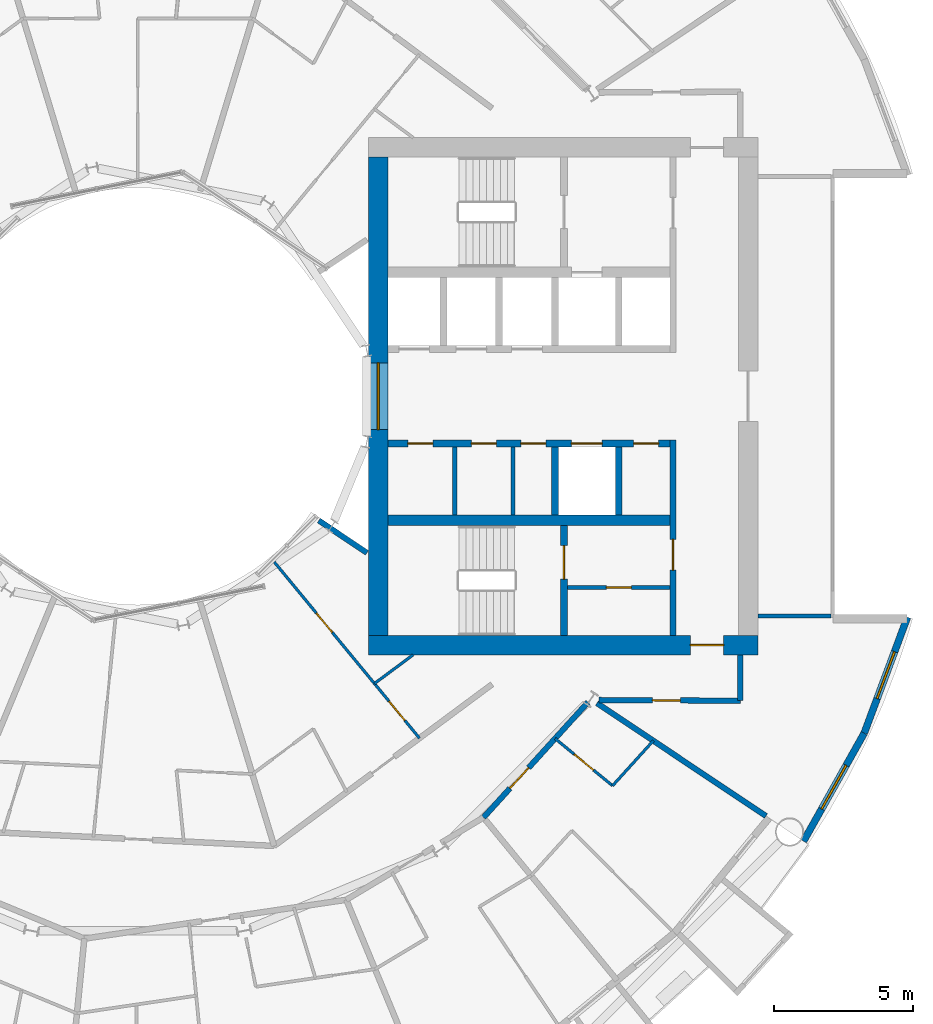
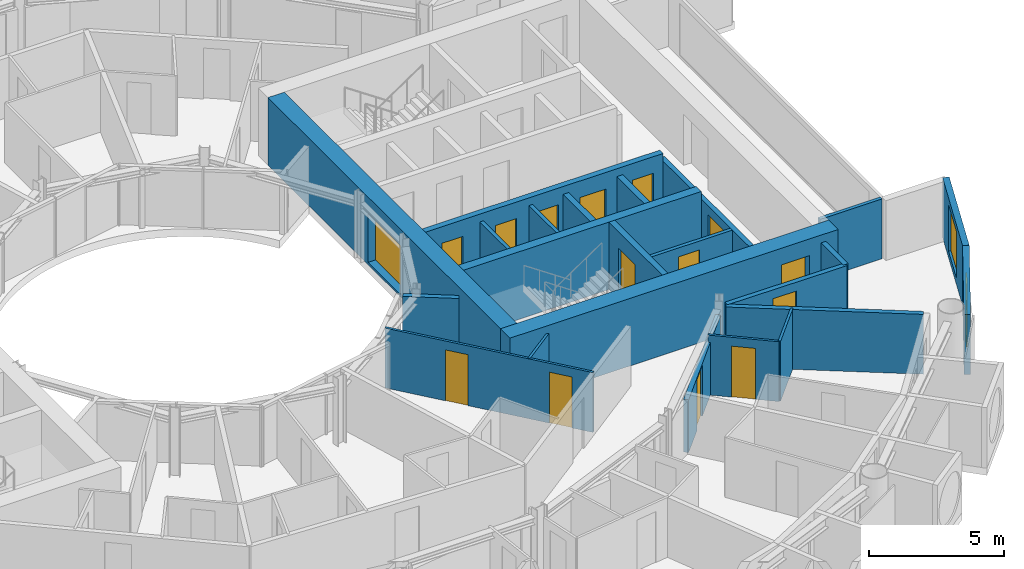
# One storey, part 17 of 26: 23 walls, 14 doors, 3 windows, 17 openings.
"""IFC4 building model written with IfcOpenShell, lengths in metres."""

import ifcopenshell
import ifcopenshell.guid

model = None  # the IFC model being written
_history = None  # IfcOwnerHistory: only IFC2X3 demands one
_inside = {}  # id of a spatial element -> (the spatial element, [elements in it])
_under = {}  # id of a project, library or spatial element -> (it, [spatial elements below it])
_declared = {}  # id of a project -> (the project, [libraries it declares])
_typed = {}  # id of a type object -> (the type object, [elements of that type])
_made_of = {}  # id of a material, layer set ... -> (it, [elements and type objects made of it])


def new_model(schema):
    """Start an empty IFC model of exactly this schema.

    Asked for "IFC4X3", IfcOpenShell would pick the latest addendum, in which some entities
    have other attributes; the version numbers below select the first issue.
    IFC2X3 requires an IfcOwnerHistory on every rooted entity: one is made here for all.
    """
    global model, _history
    if schema == "IFC4X3":
        model = ifcopenshell.file(schema_version=(4, 3, 0, 0))
    else:
        model = ifcopenshell.file(schema=schema)
    _inside.clear()
    _under.clear()
    _declared.clear()
    _typed.clear()
    _made_of.clear()
    _history = None
    if model.schema == "IFC2X3":
        org = make("IfcOrganization", Name="unknown")
        user = make(
            "IfcPersonAndOrganization",
            ThePerson=make("IfcPerson", FamilyName="unknown"),
            TheOrganization=org,
        )
        app = make(
            "IfcApplication",
            ApplicationDeveloper=org,
            Version="unknown",
            ApplicationFullName="unknown",
            ApplicationIdentifier="unknown",
        )
        _history = make(
            "IfcOwnerHistory",
            OwningUser=user,
            OwningApplication=app,
            ChangeAction="ADDED",
            CreationDate=0,
        )
    return model


def make(cls, **values):
    """One entity of the class cls with the attributes given. An attribute that is None is left unset."""
    return model.create_entity(
        cls, **{name: value for name, value in values.items() if value is not None}
    )


def rooted(cls, **values):
    """An entity with a GlobalId (a new one), such as an element, a storey or a relation."""
    return make(cls, GlobalId=ifcopenshell.guid.new(), OwnerHistory=_history, **values)


def si_unit(unit_type, name, prefix=None):
    """IfcSIUnit, for example si_unit("LENGTHUNIT", "METRE", prefix="MILLI")."""
    return make("IfcSIUnit", UnitType=unit_type, Prefix=prefix, Name=name)


def assignment(units):
    """IfcUnitAssignment: the units of a project."""
    return None if units is None else make("IfcUnitAssignment", Units=units)


def point(xyz):
    """IfcCartesianPoint."""
    return None if xyz is None else make("IfcCartesianPoint", Coordinates=xyz)


def direction(xyz):
    """IfcDirection."""
    return None if xyz is None else make("IfcDirection", DirectionRatios=xyz)


def frame(location, z_axis=None, x_axis=None):
    """IfcAxis2Placement3D, a coordinate frame: its origin and axes. An axis left out is left unset."""
    return make(
        "IfcAxis2Placement3D",
        Location=point(location),
        Axis=direction(z_axis),
        RefDirection=direction(x_axis),
    )


def frame_2d(location, x_axis=None):
    """IfcAxis2Placement2D, a coordinate frame in the plane: its origin and x axis."""
    return make(
        "IfcAxis2Placement2D", Location=point(location), RefDirection=direction(x_axis)
    )


def origin():
    """The frame at (0, 0, 0) with its axes left unset."""
    return frame((0.0, 0.0, 0.0))


def place(relative_to, where):
    """IfcLocalPlacement: puts the frame where relative to a parent placement (None: the world)."""
    return make(
        "IfcLocalPlacement", PlacementRelTo=relative_to, RelativePlacement=where
    )


def context(
    kind, dimensions, precision=None, world=None, true_north=None, identifier=None
):
    """IfcGeometricRepresentationContext, for example the 3D "Model" context."""
    return make(
        "IfcGeometricRepresentationContext",
        ContextIdentifier=identifier,
        ContextType=kind,
        CoordinateSpaceDimension=dimensions,
        Precision=precision,
        WorldCoordinateSystem=world,
        TrueNorth=true_north,
    )


def subcontext(parent, identifier, kind, view, scale=None):
    """IfcGeometricRepresentationSubContext, for example "Body" below "Model"."""
    return make(
        "IfcGeometricRepresentationSubContext",
        ContextIdentifier=identifier,
        ContextType=kind,
        ParentContext=parent,
        TargetScale=scale,
        TargetView=view,
    )


def project(units=None, contexts=None):
    """IfcProject with its units and contexts."""
    return rooted(
        "IfcProject",
        Name="project",
        RepresentationContexts=contexts,
        UnitsInContext=assignment(units),
    )


def spatial(cls, under=None, at=None, **own):
    """A site, building, storey or space (cls), placed at a placement, below another one or the project."""
    s = rooted(cls, ObjectPlacement=at, **own)
    if under is not None:
        _under.setdefault(under.id(), (under, []))[1].append(s)
    return s


def profile(cls, at=None, kind="AREA", **sizes):
    """A parametric profile (cls). Its sizes go by their IFC names, for example OverallWidth=200.0."""
    return make(cls, ProfileType=kind, Position=at, **sizes)


def rectangle(**sizes):
    """IfcRectangleProfileDef."""
    return profile("IfcRectangleProfileDef", **sizes)


def extrude(swept, where, along, depth):
    """IfcExtrudedAreaSolid: the profile swept, set in the frame where, extruded along a direction by depth."""
    return make(
        "IfcExtrudedAreaSolid",
        SweptArea=swept,
        Position=where,
        ExtrudedDirection=direction(along),
        Depth=depth,
    )


def shape(context_of_items, identifier, shape_type, items):
    """IfcShapeRepresentation: the items that make up one representation, for example the "Body"."""
    return make(
        "IfcShapeRepresentation",
        ContextOfItems=context_of_items,
        RepresentationIdentifier=identifier,
        RepresentationType=shape_type,
        Items=items,
    )


def material(Name=None, Category=None):
    """IfcMaterial."""
    return make("IfcMaterial", Name=Name, Category=Category)


def layer(
    of_material, thickness, ventilated=None, Name=None, Category=None, Priority=None
):
    """IfcMaterialLayer: one layer of a wall or slab, of a material (None: an air gap)."""
    return make(
        "IfcMaterialLayer",
        Material=of_material,
        LayerThickness=thickness,
        IsVentilated=ventilated,
        Name=Name,
        Category=Category,
        Priority=Priority,
    )


def layer_set(layers, Name=None):
    """IfcMaterialLayerSet."""
    return make("IfcMaterialLayerSet", MaterialLayers=layers, LayerSetName=Name)


def made_of(thing, what):
    """Note that an element or type object is made of a material, layer set ...; save() writes the relation."""
    if what is not None:
        _made_of.setdefault(what.id(), (what, []))[1].append(thing)
    return thing


def type_object(cls, material=None, **own):
    """A type object (cls), such as IfcWallType, which elements share."""
    return made_of(rooted(cls, **own), material)


def element(
    cls,
    number,
    at=None,
    inside=None,
    cuts=None,
    type_object=None,
    material=None,
    context=None,
    identifier="Body",
    shape_type=None,
    held_by="IfcProductDefinitionShape",
    body=None,
    shapes=None,
    **own,
):
    """One element of the class cls, such as IfcWall. Its Tag is "e" and its number.

    at: its placement. inside: the storey or other place that contains it. cuts: it is an
    opening in that element (IfcRelVoidsElement). A single representation is given by context,
    identifier, shape_type and body (its items); several are given by shapes. held_by: the class
    of the entity that holds the representations. save() writes the other relations.
    """
    e = rooted(cls, Tag="e%d" % number, ObjectPlacement=at, **own)
    if body is not None:
        shapes = [shape(context, identifier, shape_type, body)]
    if shapes is not None:
        e.Representation = make(held_by, Representations=shapes)
    if inside is not None:
        _inside.setdefault(inside.id(), (inside, []))[1].append(e)
    if cuts is not None:
        rooted(
            "IfcRelVoidsElement", RelatingBuildingElement=cuts, RelatedOpeningElement=e
        )
    if type_object is not None:
        _typed.setdefault(type_object.id(), (type_object, []))[1].append(e)
    return made_of(e, material)


def fill(opening, filler):
    """IfcRelFillsElement: the door or window that sits in an opening."""
    return rooted(
        "IfcRelFillsElement",
        RelatingOpeningElement=opening,
        RelatedBuildingElement=filler,
    )


def aggregate(whole, parts):
    """IfcRelAggregates: a whole, such as a stair, and the parts it consists of."""
    return rooted("IfcRelAggregates", RelatingObject=whole, RelatedObjects=parts)


def save(model, path):
    """Write the relations noted so far, then the file.

    IfcRelAggregates (storeys below a building ...), IfcRelContainedInSpatialStructure (elements
    in a storey), IfcRelDefinesByType, IfcRelAssociatesMaterial and IfcRelDeclares: one each for
    every whole, place, type object, material and project.
    """
    for whole, parts in _under.values():
        aggregate(whole, parts)
    for where, things in _inside.values():
        rooted(
            "IfcRelContainedInSpatialStructure",
            RelatedElements=things,
            RelatingStructure=where,
        )
    for kind, things in _typed.values():
        rooted("IfcRelDefinesByType", RelatedObjects=things, RelatingType=kind)
    for what, things in _made_of.values():
        rooted("IfcRelAssociatesMaterial", RelatedObjects=things, RelatingMaterial=what)
    for by, libraries in _declared.values():
        rooted("IfcRelDeclares", RelatingContext=by, RelatedDefinitions=libraries)
    model.write(path)


model = new_model("IFC4")

# Units and contexts
model_context = context("Model", 3, precision=1e-05, world=origin(), true_north=direction((0.0, 1.0)))
body_context = subcontext(model_context, "Body", "Model", "MODEL_VIEW")
ifc_project = project(units=[si_unit("LENGTHUNIT", "METRE"), si_unit("AREAUNIT", "SQUARE_METRE"), si_unit("VOLUMEUNIT", "CUBIC_METRE"), si_unit("PLANEANGLEUNIT", "RADIAN"), si_unit("MASSUNIT", "GRAM", prefix="KILO")], contexts=[model_context])

# Site, building, storey
site_placement = place(None, origin())
site = spatial("IfcSite", under=ifc_project, at=site_placement, CompositionType="ELEMENT")
building_placement = place(site_placement, origin())
building = spatial("IfcBuilding", under=site, at=building_placement, Name="Maasbend Ring Residences", CompositionType="ELEMENT")
storey_placement = place(building_placement, frame((0.0, 0.0, 78.85009765625)))
storey = spatial("IfcBuildingStorey", under=building, at=storey_placement, Name="L22", CompositionType="ELEMENT", Elevation=78.85009765625)

# Wall, openings, doors
ifc_material_1 = material(Name="Concrete C70/85", Category="concrete")
ifc_layer_1 = layer(ifc_material_1, 0.25)
ifc_layer_set_1 = layer_set([ifc_layer_1], Name="Concrete C70/85")
wall_type_1 = type_object("IfcWallType", Name="CORE WALL 250 C70/85", PredefinedType="SHEAR", material=ifc_layer_set_1)
wall_1_placement = place(storey_placement, frame((19.14990234375, -1.699951171875, 0.0), z_axis=(0.0, 0.0, 1.0), x_axis=(-1.0, 0.0, 0.0)))
wall_1 = element("IfcWall", 1, at=wall_1_placement, inside=storey, type_object=wall_type_1, Name="L22 core E wall SPS", PredefinedType="SHEAR", context=body_context, shape_type="SweptSolid", body=[
    extrude(rectangle(XDim=10.14990234375, YDim=0.25, at=frame_2d((5.074951171875, 0.0))), origin(), (0.0, 0.0, 1.0), 3.0498046875),
])
opening_1_placement = place(wall_1_placement, frame((2.449951171875, 0.0, 0.0)))
opening_1 = element("IfcOpeningElement", 2, at=opening_1_placement, cuts=wall_1, Name="Opening LD-E2205", PredefinedType="OPENING", context=body_context, shape_type="SweptSolid", body=[
    extrude(rectangle(XDim=1.10009765625, YDim=2.300048828125, at=frame_2d((0.550048828125, 1.14990234375))), frame((0.0, 0.135009765625, 0.0), z_axis=(0.0, -1.0, 0.0), x_axis=(1.0, 0.0, 0.0)), (0.0, 0.0, 1.0), 0.27001953125),
])
opening_2_placement = place(wall_1_placement, frame((8.53759765625, 0.0, 0.0)))
opening_2 = element("IfcOpeningElement", 3, at=opening_2_placement, cuts=wall_1, Name="Opening D-E2206", PredefinedType="OPENING", context=body_context, shape_type="SweptSolid", body=[
    extrude(rectangle(XDim=0.89990234375, YDim=2.300048828125, at=frame_2d((0.449951171875, 1.14990234375))), frame((0.0, 0.135009765625, 0.0), z_axis=(0.0, -1.0, 0.0), x_axis=(1.0, 0.0, 0.0)), (0.0, 0.0, 1.0), 0.27001953125),
])
opening_3_placement = place(wall_1_placement, frame((6.25, 0.0, 0.0)))
opening_3 = element("IfcOpeningElement", 4, at=opening_3_placement, cuts=wall_1, Name="Opening D-E2207", PredefinedType="OPENING", context=body_context, shape_type="SweptSolid", body=[
    extrude(rectangle(XDim=0.89990234375, YDim=2.300048828125, at=frame_2d((0.449951171875, 1.14990234375))), frame((0.0, 0.135009765625, 0.0), z_axis=(0.0, -1.0, 0.0), x_axis=(1.0, 0.0, 0.0)), (0.0, 0.0, 1.0), 0.27001953125),
])
opening_4_placement = place(wall_1_placement, frame((4.47509765625, 0.0, 0.0)))
opening_4 = element("IfcOpeningElement", 5, at=opening_4_placement, cuts=wall_1, Name="Opening D-E2208", PredefinedType="OPENING", context=body_context, shape_type="SweptSolid", body=[
    extrude(rectangle(XDim=0.89990234375, YDim=2.300048828125, at=frame_2d((0.449951171875, 1.14990234375))), frame((0.0, 0.135009765625, 0.0), z_axis=(0.0, -1.0, 0.0), x_axis=(1.0, 0.0, 0.0)), (0.0, 0.0, 1.0), 0.27001953125),
])
opening_5_placement = place(wall_1_placement, frame((0.41259765625, 0.0, 0.0)))
opening_5 = element("IfcOpeningElement", 6, at=opening_5_placement, cuts=wall_1, Name="Opening D-E2209", PredefinedType="OPENING", context=body_context, shape_type="SweptSolid", body=[
    extrude(rectangle(XDim=0.89990234375, YDim=2.300048828125, at=frame_2d((0.449951171875, 1.14990234375))), frame((0.0, 0.135009765625, 0.0), z_axis=(0.0, -1.0, 0.0), x_axis=(1.0, 0.0, 0.0)), (0.0, 0.0, 1.0), 0.27001953125),
])
ifc_material_2 = material(Name="Stainless steel 316", Category="steel")
door_type_1 = type_object("IfcDoorType", Name="LANDING DOOR 1100 X 2300 FD60", OperationType="DOUBLE_DOOR_SLIDING", PredefinedType="DOOR", material=ifc_material_2)
door_1_placement = place(opening_1_placement, origin())
door_1 = element("IfcDoor", 7, at=door_1_placement, inside=storey, type_object=door_type_1, Name="Landing door SV-E L22", OperationType="DOUBLE_DOOR_SLIDING", OverallHeight=2.300048828125, OverallWidth=1.10009765625, PredefinedType="DOOR", context=body_context, shape_type="SweptSolid", body=[
    extrude(rectangle(XDim=1.10009765625, YDim=2.300048828125, at=frame_2d((0.550048828125, 1.14990234375))), frame((0.0, 0.02490234375, 0.0), z_axis=(0.0, -1.0, 0.0), x_axis=(1.0, 0.0, 0.0)), (0.0, 0.0, 1.0), 0.050048828125),
])
fill(opening_1, door_1)
ifc_material_3 = material(Name="Steel, powder coated", Category="steel")
door_type_2 = type_object("IfcDoorType", Name="ROOM DOOR 900 X 2300 FD30S", OperationType="NOTDEFINED", PredefinedType="DOOR", material=ifc_material_3)
door_2_placement = place(opening_2_placement, origin())
door_2 = element("IfcDoor", 8, at=door_2_placement, inside=storey, type_object=door_type_2, Name="Room door L22", OperationType="SINGLE_SWING_LEFT", OverallHeight=2.300048828125, OverallWidth=0.89990234375, PredefinedType="DOOR", context=body_context, shape_type="SweptSolid", body=[
    extrude(rectangle(XDim=0.89990234375, YDim=2.300048828125, at=frame_2d((0.449951171875, 1.14990234375))), frame((0.0, 0.02490234375, 0.0), z_axis=(0.0, -1.0, 0.0), x_axis=(1.0, 0.0, 0.0)), (0.0, 0.0, 1.0), 0.050048828125),
])
fill(opening_2, door_2)
door_3_placement = place(opening_3_placement, origin())
door_3 = element("IfcDoor", 9, at=door_3_placement, inside=storey, type_object=door_type_2, Name="Room door L22", OperationType="SINGLE_SWING_LEFT", OverallHeight=2.300048828125, OverallWidth=0.89990234375, PredefinedType="DOOR", context=body_context, shape_type="SweptSolid", body=[
    extrude(rectangle(XDim=0.89990234375, YDim=2.300048828125, at=frame_2d((0.449951171875, 1.14990234375))), frame((0.0, 0.02490234375, 0.0), z_axis=(0.0, -1.0, 0.0), x_axis=(1.0, 0.0, 0.0)), (0.0, 0.0, 1.0), 0.050048828125),
])
fill(opening_3, door_3)
door_4_placement = place(opening_4_placement, origin())
door_4 = element("IfcDoor", 10, at=door_4_placement, inside=storey, type_object=door_type_2, Name="Room door L22", OperationType="SINGLE_SWING_RIGHT", OverallHeight=2.300048828125, OverallWidth=0.89990234375, PredefinedType="DOOR", context=body_context, shape_type="SweptSolid", body=[
    extrude(rectangle(XDim=0.89990234375, YDim=2.300048828125, at=frame_2d((0.449951171875, 1.14990234375))), frame((0.0, 0.02490234375, 0.0), z_axis=(0.0, -1.0, 0.0), x_axis=(1.0, 0.0, 0.0)), (0.0, 0.0, 1.0), 0.050048828125),
])
fill(opening_4, door_4)
door_5_placement = place(opening_5_placement, origin())
door_5 = element("IfcDoor", 11, at=door_5_placement, inside=storey, type_object=door_type_2, Name="Room door L22", OperationType="SINGLE_SWING_RIGHT", OverallHeight=2.300048828125, OverallWidth=0.89990234375, PredefinedType="DOOR", context=body_context, shape_type="SweptSolid", body=[
    extrude(rectangle(XDim=0.89990234375, YDim=2.300048828125, at=frame_2d((0.449951171875, 1.14990234375))), frame((0.0, 0.02490234375, 0.0), z_axis=(0.0, -1.0, 0.0), x_axis=(1.0, 0.0, 0.0)), (0.0, 0.0, 1.0), 0.050048828125),
])
fill(opening_5, door_5)

# Wall, opening, door
wall_2_placement = place(storey_placement, frame((15.324951171875, -8.60009765625, 0.0), z_axis=(0.0, 0.0, 1.0), x_axis=(0.0, 1.0, 0.0)))
wall_2 = element("IfcWall", 12, at=wall_2_placement, inside=storey, type_object=wall_type_1, Name="L22 core E wall STES", PredefinedType="SHEAR", context=body_context, shape_type="SweptSolid", body=[
    extrude(rectangle(XDim=3.9501953125, YDim=0.25, at=frame_2d((1.97509765625, 0.0))), origin(), (0.0, 0.0, 1.0), 3.0498046875),
])
opening_6_placement = place(wall_2_placement, frame((2.02490234375, 0.0, 0.0)))
opening_6 = element("IfcOpeningElement", 13, at=opening_6_placement, cuts=wall_2, Name="Opening D-E2212", PredefinedType="OPENING", context=body_context, shape_type="SweptSolid", body=[
    extrude(rectangle(XDim=1.199951171875, YDim=2.300048828125, at=frame_2d((0.60009765625, 1.14990234375))), frame((0.0, 0.135009765625, 0.0), z_axis=(0.0, -1.0, 0.0), x_axis=(1.0, 0.0, 0.0)), (0.0, 0.0, 1.0), 0.27001953125),
])
ifc_material_4 = material(Name="Steel, powder coated", Category="steel")
door_type_3 = type_object("IfcDoorType", Name="STAIR DOOR 1200 X 2300 FD60", OperationType="NOTDEFINED", PredefinedType="DOOR", material=ifc_material_4)
door_6_placement = place(opening_6_placement, origin())
door_6 = element("IfcDoor", 14, at=door_6_placement, inside=storey, type_object=door_type_3, Name="Stair door ST-E L22", OperationType="SINGLE_SWING_LEFT", OverallHeight=2.300048828125, OverallWidth=1.199951171875, PredefinedType="DOOR", context=body_context, shape_type="SweptSolid", body=[
    extrude(rectangle(XDim=1.199951171875, YDim=2.300048828125, at=frame_2d((0.60009765625, 1.14990234375))), frame((0.0, 0.02490234375, 0.0), z_axis=(0.0, -1.0, 0.0), x_axis=(1.0, 0.0, 0.0)), (0.0, 0.0, 1.0), 0.050048828125),
])
fill(opening_6, door_6)

# Wall
ifc_material_5 = material(Name="Concrete C70/85", Category="concrete")
ifc_layer_2 = layer(ifc_material_5, 0.375)
ifc_layer_set_2 = layer_set([ifc_layer_2], Name="Concrete C70/85")
wall_type_2 = type_object("IfcWallType", Name="CORE WALL 375 C70/85", PredefinedType="SHEAR", material=ifc_layer_set_2)
wall_3_placement = place(storey_placement, frame((9.0, -4.46240234375, 0.0), z_axis=(0.0, 0.0, 1.0), x_axis=(1.0, 0.0, 0.0)))
element("IfcWall", 15, at=wall_3_placement, inside=storey, type_object=wall_type_2, Name="L22 core E wall BS", PredefinedType="SHEAR", context=body_context, shape_type="SweptSolid", body=[
    extrude(rectangle(XDim=10.14990234375, YDim=0.375, at=frame_2d((5.074951171875, 0.0))), origin(), (0.0, 0.0, 1.0), 3.0498046875),
])

# Wall, opening, door
ifc_material_6 = material(Name="Concrete C70/85", Category="concrete")
ifc_layer_3 = layer(ifc_material_6, 0.699951171875)
ifc_layer_set_3 = layer_set([ifc_layer_3], Name="Concrete C70/85")
wall_type_3 = type_object("IfcWallType", Name="CORE WALL 700 C70/85", PredefinedType="SHEAR", material=ifc_layer_set_3)
wall_4_placement = place(storey_placement, frame((8.300048828125, -8.949951171875, 0.0), z_axis=(0.0, 0.0, 1.0), x_axis=(1.0, 0.0, 0.0)))
wall_4 = element("IfcWall", 16, at=wall_4_placement, inside=storey, type_object=wall_type_3, Name="L22 core E wall PS", PredefinedType="SHEAR", context=body_context, shape_type="SweptSolid", body=[
    extrude(rectangle(XDim=14.0, YDim=0.699951171875, at=frame_2d((7.0, 0.0))), origin(), (0.0, 0.0, 1.0), 3.0498046875),
])
opening_7_placement = place(wall_4_placement, frame((11.574951171875, 0.0, 0.0)))
opening_7 = element("IfcOpeningElement", 17, at=opening_7_placement, cuts=wall_4, Name="Opening D-E2216", PredefinedType="OPENING", context=body_context, shape_type="SweptSolid", body=[
    extrude(rectangle(XDim=1.199951171875, YDim=2.300048828125, at=frame_2d((0.60009765625, 1.14990234375))), frame((0.0, 0.35986328125, 0.0), z_axis=(0.0, -1.0, 0.0), x_axis=(1.0, 0.0, 0.0)), (0.0, 0.0, 1.0), 0.719970703125),
])
ifc_material_7 = material(Name="Steel, powder coated", Category="steel")
door_type_4 = type_object("IfcDoorType", Name="CORRIDOR DOOR 1200 X 2300 FD30S", OperationType="NOTDEFINED", PredefinedType="DOOR", material=ifc_material_7)
door_7_placement = place(opening_7_placement, origin())
door_7 = element("IfcDoor", 18, at=door_7_placement, inside=storey, type_object=door_type_4, Name="Corridor door L22", OperationType="SINGLE_SWING_LEFT", OverallHeight=2.300048828125, OverallWidth=1.199951171875, PredefinedType="DOOR", context=body_context, shape_type="SweptSolid", body=[
    extrude(rectangle(XDim=1.199951171875, YDim=2.300048828125, at=frame_2d((0.60009765625, 1.14990234375))), frame((0.0, 0.02490234375, 0.0), z_axis=(0.0, -1.0, 0.0), x_axis=(1.0, 0.0, 0.0)), (0.0, 0.0, 1.0), 0.050048828125),
])
fill(opening_7, door_7)

# Wall, opening, window
wall_5_placement = place(storey_placement, frame((8.64990234375, -8.60009765625, 0.0), z_axis=(0.0, 0.0, 1.0), x_axis=(0.0, 1.0, 0.0)))
wall_5 = element("IfcWall", 19, at=wall_5_placement, inside=storey, type_object=wall_type_3, Name="L22 core E wall PIN", PredefinedType="SHEAR", context=body_context, shape_type="SweptSolid", body=[
    extrude(rectangle(XDim=17.2001953125, YDim=0.699951171875, at=frame_2d((8.60009765625, 0.0))), origin(), (0.0, 0.0, 1.0), 3.0498046875),
])
opening_8_placement = place(wall_5_placement, frame((7.39990234375, 0.0, 0.10009765625)))
opening_8 = element("IfcOpeningElement", 20, at=opening_8_placement, cuts=wall_5, Name="Opening W-E2201", PredefinedType="OPENING", context=body_context, shape_type="SweptSolid", body=[
    extrude(rectangle(XDim=2.39990234375, YDim=2.199951171875, at=frame_2d((1.199951171875, 1.10009765625))), frame((0.0, 0.35986328125, 0.0), z_axis=(0.0, -1.0, 0.0), x_axis=(1.0, 0.0, 0.0)), (0.0, 0.0, 1.0), 0.719970703125),
])
ifc_material_8 = material(Name="Aluminium frame and clear glass", Category="aluminium")
window_type_1 = type_object("IfcWindowType", Name="FIXED WINDOW 2400 X 2200", PartitioningType="SINGLE_PANEL", PredefinedType="WINDOW", material=ifc_material_8)
window_1_placement = place(opening_8_placement, origin())
window_1 = element("IfcWindow", 21, at=window_1_placement, inside=storey, type_object=window_type_1, Name="Lobby window L22", OverallHeight=2.199951171875, OverallWidth=2.39990234375, PartitioningType="SINGLE_PANEL", PredefinedType="WINDOW", context=body_context, shape_type="SweptSolid", body=[
    extrude(rectangle(XDim=2.39990234375, YDim=2.199951171875, at=frame_2d((1.199951171875, 1.10009765625))), frame((0.0, 0.030029296875, 0.0), z_axis=(0.0, -1.0, 0.0), x_axis=(1.0, 0.0, 0.0)), (0.0, 0.0, 1.0), 0.06005859375),
])
fill(opening_8, window_1)

# Wall
ifc_material_9 = material(Name="Concrete C30/37", Category="concrete")
ifc_layer_4 = layer(ifc_material_9, 0.199951171875)
ifc_layer_set_4 = layer_set([ifc_layer_4], Name="Concrete C30/37")
wall_type_4 = type_object("IfcWallType", Name="CORRIDOR WALL 200 CONCRETE", PredefinedType="PARTITIONING", material=ifc_layer_set_4)
wall_6_placement = place(storey_placement, frame((21.675048828125, -10.949951171875, 0.0), z_axis=(0.0, 0.0, 1.0), x_axis=(0.0, 1.0, 0.0)))
element("IfcWall", 22, at=wall_6_placement, inside=storey, type_object=wall_type_4, Name="U-L22-w007", PredefinedType="PARTITIONING", context=body_context, shape_type="SweptSolid", body=[
    extrude(rectangle(XDim=1.64990234375, YDim=0.199951171875, at=frame_2d((0.824951171875, 0.0))), origin(), (0.0, 0.0, 1.0), 2.699951171875),
])

# Wall, opening, door
wall_7_placement = place(storey_placement, frame((12.43408203125, -15.15087890625, 0.0), z_axis=(0.0, 0.0, 1.0), x_axis=(0.671601747072, 0.740912338492, 0.0)))
wall_7 = element("IfcWall", 23, at=wall_7_placement, inside=storey, type_object=wall_type_4, Name="U-L22-w016", PredefinedType="PARTITIONING", context=body_context, shape_type="SweptSolid", body=[
    extrude(rectangle(XDim=5.59716796875, YDim=0.199951171875, at=frame_2d((2.798583984375, 0.0))), origin(), (0.0, 0.0, 1.0), 2.3798828125),
])
opening_9_placement = place(wall_7_placement, frame((1.4169921875, 0.0, 0.0)))
opening_9 = element("IfcOpeningElement", 24, at=opening_9_placement, cuts=wall_7, Name="Opening D-2252", PredefinedType="OPENING", context=body_context, shape_type="SweptSolid", body=[
    extrude(rectangle(XDim=1.0, YDim=2.300048828125, at=frame_2d((0.5, 1.14990234375))), frame((0.0, 0.10986328125, 0.0), z_axis=(0.0, -1.0, 0.0), x_axis=(1.0, 0.0, 0.0)), (0.0, 0.0, 1.0), 0.219970703125),
])
ifc_material_10 = material(Name="Timber, fire-rated, painted", Category="wood")
door_type_5 = type_object("IfcDoorType", Name="FLAT ENTRANCE DOOR 1000 X 2300 FIRE-RATED", OperationType="NOTDEFINED", PredefinedType="DOOR", material=ifc_material_10)
door_8_placement = place(opening_9_placement, origin())
door_8 = element("IfcDoor", 25, at=door_8_placement, inside=storey, type_object=door_type_5, Name="D-2252", OperationType="SINGLE_SWING_LEFT", OverallHeight=2.300048828125, OverallWidth=1.0, PredefinedType="DOOR", context=body_context, shape_type="SweptSolid", body=[
    extrude(rectangle(XDim=1.0, YDim=2.300048828125, at=frame_2d((0.5, 1.14990234375))), frame((0.0, 0.02490234375, 0.0), z_axis=(0.0, -1.0, 0.0), x_axis=(1.0, 0.0, 0.0)), (0.0, 0.0, 1.0), 0.050048828125),
])
fill(opening_9, door_8)

wall_8_placement = place(storey_placement, frame((16.589111328125, -10.924072265625, 0.0), z_axis=(0.0, 0.0, 1.0), x_axis=(0.999987054722, -0.005088259783, 0.0)))
wall_8 = element("IfcWall", 26, at=wall_8_placement, inside=storey, type_object=wall_type_4, Name="U-L22-w029", PredefinedType="PARTITIONING", context=body_context, shape_type="SweptSolid", body=[
    extrude(rectangle(XDim=5.0859375, YDim=0.199951171875, at=frame_2d((2.54296875, 0.0))), origin(), (0.0, 0.0, 1.0), 2.699951171875),
])
opening_10_placement = place(wall_8_placement, frame((1.923095703125, 0.0, 0.0)))
opening_10 = element("IfcOpeningElement", 27, at=opening_10_placement, cuts=wall_8, Name="Opening D-2270", PredefinedType="OPENING", context=body_context, shape_type="SweptSolid", body=[
    extrude(rectangle(XDim=1.0, YDim=2.300048828125, at=frame_2d((0.5, 1.14990234375))), frame((0.0, 0.10986328125, 0.0), z_axis=(0.0, -1.0, 0.0), x_axis=(1.0, 0.0, 0.0)), (0.0, 0.0, 1.0), 0.219970703125),
])
ifc_material_11 = material(Name="Timber, painted", Category="wood")
door_type_6 = type_object("IfcDoorType", Name="ROOM DOOR 1000 X 2300", OperationType="NOTDEFINED", PredefinedType="DOOR", material=ifc_material_11)
door_9_placement = place(opening_10_placement, origin())
door_9 = element("IfcDoor", 28, at=door_9_placement, inside=storey, type_object=door_type_6, Name="D-2270", OperationType="SINGLE_SWING_LEFT", OverallHeight=2.300048828125, OverallWidth=1.0, PredefinedType="DOOR", context=body_context, shape_type="SweptSolid", body=[
    extrude(rectangle(XDim=1.0, YDim=2.300048828125, at=frame_2d((0.5, 1.14990234375))), frame((0.0, 0.02490234375, 0.0), z_axis=(0.0, -1.0, 0.0), x_axis=(1.0, 0.0, 0.0)), (0.0, 0.0, 1.0), 0.050048828125),
])
fill(opening_10, door_9)

# Wall, opening, window
ifc_material_12 = material(Name="Aluminium clad insulated panel", Category="aluminium")
ifc_layer_5 = layer(ifc_material_12, 0.25)
ifc_layer_set_5 = layer_set([ifc_layer_5], Name="EW-HORN")
wall_type_5 = type_object("IfcWallType", Name="EW-HORN", PredefinedType="SOLIDWALL", material=ifc_layer_set_5)
wall_9_placement = place(storey_placement, frame((23.946044921875, -16.0, 0.0), z_axis=(0.0, 0.0, 1.0), x_axis=(0.489696356642, 0.871893042919, 0.0)))
wall_9 = element("IfcWall", 29, at=wall_9_placement, inside=storey, type_object=wall_type_5, Name="Horn wall 2.1", PredefinedType="SOLIDWALL", context=body_context, shape_type="SweptSolid", body=[
    extrude(rectangle(XDim=4.45361328125, YDim=0.25, at=frame_2d((2.226806640625, 0.0))), origin(), (0.0, 0.0, 1.0), 2.699951171875),
])
opening_11_placement = place(wall_9_placement, frame((1.32666015625, 0.0, 0.300048828125)))
opening_11 = element("IfcOpeningElement", 30, at=opening_11_placement, cuts=wall_9, Name="Opening W-BX", PredefinedType="OPENING", context=body_context, shape_type="SweptSolid", body=[
    extrude(rectangle(XDim=1.800048828125, YDim=2.10009765625, at=frame_2d((0.89990234375, 1.050048828125))), frame((0.0, 0.135009765625, 0.0), z_axis=(0.0, -1.0, 0.0), x_axis=(1.0, 0.0, 0.0)), (0.0, 0.0, 1.0), 0.27001953125),
])
ifc_material_13 = material(Name="Aluminium and clear glass", Category="aluminium")
window_type_2 = type_object("IfcWindowType", Name="W-BX", PartitioningType="DOUBLE_PANEL_VERTICAL", PredefinedType="WINDOW", material=ifc_material_13)
window_2_placement = place(opening_11_placement, origin())
window_2 = element("IfcWindow", 31, at=window_2_placement, inside=storey, type_object=window_type_2, Name="Horn window 2.1", OverallHeight=2.10009765625, OverallWidth=1.800048828125, PartitioningType="SINGLE_PANEL", PredefinedType="WINDOW", context=body_context, shape_type="SweptSolid", body=[
    extrude(rectangle(XDim=1.800048828125, YDim=2.10009765625, at=frame_2d((0.89990234375, 1.050048828125))), frame((0.0, 0.030029296875, 0.0), z_axis=(0.0, -1.0, 0.0), x_axis=(1.0, 0.0, 0.0)), (0.0, 0.0, 1.0), 0.06005859375),
])
fill(opening_11, window_2)

wall_10_placement = place(storey_placement, frame((26.126953125, -12.116943359375, 0.0), z_axis=(0.0, 0.0, 1.0), x_axis=(0.349247811493, 0.937030397675, 0.0)))
wall_10 = element("IfcWall", 32, at=wall_10_placement, inside=storey, type_object=wall_type_5, Name="Horn wall 2.2", PredefinedType="SOLIDWALL", context=body_context, shape_type="SweptSolid", body=[
    extrude(rectangle(XDim=4.4521484375, YDim=0.25, at=frame_2d((2.22607421875, 0.0))), origin(), (0.0, 0.0, 1.0), 2.699951171875),
])
opening_12_placement = place(wall_10_placement, frame((1.32666015625, 0.0, 0.300048828125)))
opening_12 = element("IfcOpeningElement", 33, at=opening_12_placement, cuts=wall_10, Name="Opening W-BX", PredefinedType="OPENING", context=body_context, shape_type="SweptSolid", body=[
    extrude(rectangle(XDim=1.800048828125, YDim=2.10009765625, at=frame_2d((0.89990234375, 1.050048828125))), frame((0.0, 0.135009765625, 0.0), z_axis=(0.0, -1.0, 0.0), x_axis=(1.0, 0.0, 0.0)), (0.0, 0.0, 1.0), 0.27001953125),
])
window_3_placement = place(opening_12_placement, origin())
window_3 = element("IfcWindow", 34, at=window_3_placement, inside=storey, type_object=window_type_2, Name="Horn window 2.2", OverallHeight=2.10009765625, OverallWidth=1.800048828125, PartitioningType="SINGLE_PANEL", PredefinedType="WINDOW", context=body_context, shape_type="SweptSolid", body=[
    extrude(rectangle(XDim=1.800048828125, YDim=2.10009765625, at=frame_2d((0.89990234375, 1.050048828125))), frame((0.0, 0.030029296875, 0.0), z_axis=(0.0, -1.0, 0.0), x_axis=(1.0, 0.0, 0.0)), (0.0, 0.0, 1.0), 0.06005859375),
])
fill(opening_12, window_3)

# Walls
ifc_material_14 = material(Name="Gypsum board on steel studs", Category="steel")
ifc_layer_6 = layer(ifc_material_14, 0.10009765625)
ifc_layer_set_6 = layer_set([ifc_layer_6], Name="PARTITION 100 GYPSUM")
wall_type_6 = type_object("IfcWallType", Name="PARTITION 100 GYPSUM", PredefinedType="PARTITIONING", material=ifc_layer_set_6)
wall_11_placement = place(storey_placement, frame((17.076904296875, -14.006103515625, 0.0), z_axis=(0.0, 0.0, 1.0), x_axis=(0.671396556615, 0.741098282123, 0.0)))
element("IfcWall", 35, at=wall_11_placement, inside=storey, type_object=wall_type_6, Name="U-L22-w006", PredefinedType="PARTITIONING", context=body_context, shape_type="SweptSolid", body=[
    extrude(rectangle(XDim=2.18212890625, YDim=0.10009765625, at=frame_2d((1.091064453125, 0.0))), origin(), (0.0, 0.0, 1.0), 2.699951171875),
])
wall_12_placement = place(storey_placement, frame((8.512939453125, -10.33203125, 0.0), z_axis=(0.0, 0.0, 1.0), x_axis=(0.803135014325, 0.595797070121, 0.0)))
element("IfcWall", 36, at=wall_12_placement, inside=storey, type_object=wall_type_6, Name="U-L22-w027", PredefinedType="PARTITIONING", context=body_context, shape_type="SweptSolid", body=[
    extrude(rectangle(XDim=1.732177734375, YDim=0.10009765625, at=frame_2d((0.8662109375, 0.0))), origin(), (0.0, 0.0, 1.0), 2.699951171875),
])

# Wall, openings, doors
wall_13_placement = place(storey_placement, frame((4.907958984375, -5.958984375, 0.0), z_axis=(0.0, 0.0, 1.0), x_axis=(0.636105207978, -0.771602335652, 0.0)))
wall_13 = element("IfcWall", 37, at=wall_13_placement, inside=storey, type_object=wall_type_6, Name="U-L22-w075", PredefinedType="PARTITIONING", context=body_context, shape_type="SweptSolid", body=[
    extrude(rectangle(XDim=8.212646484375, YDim=0.10009765625, at=frame_2d((4.1064453125, 0.0))), origin(), (0.0, 0.0, 1.0), 2.699951171875),
])
opening_13_placement = place(wall_13_placement, frame((6.489990234375, 0.0, 0.0)))
opening_13 = element("IfcOpeningElement", 38, at=opening_13_placement, cuts=wall_13, Name="Opening D-2266", PredefinedType="OPENING", context=body_context, shape_type="SweptSolid", body=[
    extrude(rectangle(XDim=0.89990234375, YDim=2.300048828125, at=frame_2d((0.449951171875, 1.14990234375))), frame((0.0, 0.06005859375, 0.0), z_axis=(0.0, -1.0, 0.0), x_axis=(1.0, 0.0, 0.0)), (0.0, 0.0, 1.0), 0.1201171875),
])
opening_14_placement = place(wall_13_placement, frame((2.384033203125, 0.0, 0.0)))
opening_14 = element("IfcOpeningElement", 39, at=opening_14_placement, cuts=wall_13, Name="Opening D-2267", PredefinedType="OPENING", context=body_context, shape_type="SweptSolid", body=[
    extrude(rectangle(XDim=0.89990234375, YDim=2.300048828125, at=frame_2d((0.449951171875, 1.14990234375))), frame((0.0, 0.06005859375, 0.0), z_axis=(0.0, -1.0, 0.0), x_axis=(1.0, 0.0, 0.0)), (0.0, 0.0, 1.0), 0.1201171875),
])
ifc_material_15 = material(Name="Timber, painted", Category="wood")
door_type_7 = type_object("IfcDoorType", Name="INTERNAL DOOR 900 X 2300", OperationType="NOTDEFINED", PredefinedType="DOOR", material=ifc_material_15)
door_10_placement = place(opening_13_placement, origin())
door_10 = element("IfcDoor", 40, at=door_10_placement, inside=storey, type_object=door_type_7, Name="D-2266", OperationType="SINGLE_SWING_RIGHT", OverallHeight=2.300048828125, OverallWidth=0.89990234375, PredefinedType="DOOR", context=body_context, shape_type="SweptSolid", body=[
    extrude(rectangle(XDim=0.89990234375, YDim=2.300048828125, at=frame_2d((0.449951171875, 1.14990234375))), frame((0.0, 0.02490234375, 0.0), z_axis=(0.0, -1.0, 0.0), x_axis=(1.0, 0.0, 0.0)), (0.0, 0.0, 1.0), 0.050048828125),
])
fill(opening_13, door_10)
door_11_placement = place(opening_14_placement, origin())
door_11 = element("IfcDoor", 41, at=door_11_placement, inside=storey, type_object=door_type_7, Name="D-2267", OperationType="SINGLE_SWING_LEFT", OverallHeight=2.300048828125, OverallWidth=0.89990234375, PredefinedType="DOOR", context=body_context, shape_type="SweptSolid", body=[
    extrude(rectangle(XDim=0.89990234375, YDim=2.300048828125, at=frame_2d((0.449951171875, 1.14990234375))), frame((0.0, 0.02490234375, 0.0), z_axis=(0.0, -1.0, 0.0), x_axis=(1.0, 0.0, 0.0)), (0.0, 0.0, 1.0), 0.050048828125),
])
fill(opening_14, door_11)

# Wall, opening, door
wall_14_placement = place(storey_placement, frame((15.009033203125, -12.31005859375, 0.0), z_axis=(0.0, 0.0, 1.0), x_axis=(0.77319617123, -0.634166918717, 0.0)))
wall_14 = element("IfcWall", 42, at=wall_14_placement, inside=storey, type_object=wall_type_6, Name="U-L22-w088", PredefinedType="PARTITIONING", context=body_context, shape_type="SweptSolid", body=[
    extrude(rectangle(XDim=2.674560546875, YDim=0.10009765625, at=frame_2d((1.33740234375, 0.0))), origin(), (0.0, 0.0, 1.0), 2.699951171875),
])
opening_15_placement = place(wall_14_placement, frame((0.886962890625, 0.0, 0.0)))
opening_15 = element("IfcOpeningElement", 43, at=opening_15_placement, cuts=wall_14, Name="Opening D-2253", PredefinedType="OPENING", context=body_context, shape_type="SweptSolid", body=[
    extrude(rectangle(XDim=0.89990234375, YDim=2.300048828125, at=frame_2d((0.449951171875, 1.14990234375))), frame((0.0, 0.06005859375, 0.0), z_axis=(0.0, -1.0, 0.0), x_axis=(1.0, 0.0, 0.0)), (0.0, 0.0, 1.0), 0.1201171875),
])
door_12_placement = place(opening_15_placement, origin())
door_12 = element("IfcDoor", 44, at=door_12_placement, inside=storey, type_object=door_type_7, Name="D-2253", OperationType="SINGLE_SWING_RIGHT", OverallHeight=2.300048828125, OverallWidth=0.89990234375, PredefinedType="DOOR", context=body_context, shape_type="SweptSolid", body=[
    extrude(rectangle(XDim=0.89990234375, YDim=2.300048828125, at=frame_2d((0.449951171875, 1.14990234375))), frame((0.0, 0.02490234375, 0.0), z_axis=(0.0, -1.0, 0.0), x_axis=(1.0, 0.0, 0.0)), (0.0, 0.0, 1.0), 0.050048828125),
])
fill(opening_15, door_12)

# Walls
ifc_material_16 = material(Name="Gypsum board on steel studs", Category="steel")
ifc_layer_7 = layer(ifc_material_16, 0.14990234375)
ifc_layer_set_7 = layer_set([ifc_layer_7], Name="PARTITION 150 EI 60")
wall_type_7 = type_object("IfcWallType", Name="PARTITION 150 EI 60", PredefinedType="PARTITIONING", material=ifc_layer_set_7)
for number, where, z_axis, x_axis, name in (
    (45, (11.39990234375, -1.824951171875, 0.0), (0.0, 0.0, 1.0), (0.0, -1.0, 0.0), "L22 core E wall PRS1140"),
    (46, (13.5, -1.824951171875, 0.0), (0.0, 0.0, 1.0), (0.0, -1.0, 0.0), "L22 core E wall PRS1350"),
):
    element("IfcWall", number, at=place(storey_placement, frame(where, z_axis=z_axis, x_axis=x_axis)), inside=storey, type_object=wall_type_7, Name=name, PredefinedType="PARTITIONING", context=body_context, shape_type="SweptSolid", body=[
        extrude(rectangle(XDim=2.449951171875, YDim=0.14990234375, at=frame_2d((1.22509765625, 0.0))), origin(), (0.0, 0.0, 1.0), 2.699951171875),
    ])

# Wall, opening, door
wall_15_placement = place(storey_placement, frame((15.449951171875, -6.875, 0.0), z_axis=(0.0, 0.0, 1.0), x_axis=(1.0, 0.0, 0.0)))
wall_15 = element("IfcWall", 47, at=wall_15_placement, inside=storey, type_object=wall_type_7, Name="L22 core E wall RHS", PredefinedType="PARTITIONING", context=body_context, shape_type="SweptSolid", body=[
    extrude(rectangle(XDim=3.699951171875, YDim=0.14990234375, at=frame_2d((1.85009765625, 0.0))), origin(), (0.0, 0.0, 1.0), 2.699951171875),
])
opening_16_placement = place(wall_15_placement, frame((1.39990234375, 0.0, 0.0)))
opening_16 = element("IfcOpeningElement", 48, at=opening_16_placement, cuts=wall_15, Name="Opening D-E2210", PredefinedType="OPENING", context=body_context, shape_type="SweptSolid", body=[
    extrude(rectangle(XDim=0.89990234375, YDim=2.300048828125, at=frame_2d((0.449951171875, 1.14990234375))), frame((0.0, 0.0849609375, 0.0), z_axis=(0.0, -1.0, 0.0), x_axis=(1.0, 0.0, 0.0)), (0.0, 0.0, 1.0), 0.169921875),
])
ifc_material_17 = material(Name="Steel, powder coated", Category="steel")
door_type_8 = type_object("IfcDoorType", Name="RISER DOOR 900 X 2300 FD60", OperationType="NOTDEFINED", PredefinedType="DOOR", material=ifc_material_17)
door_13_placement = place(opening_16_placement, origin())
door_13 = element("IfcDoor", 49, at=door_13_placement, inside=storey, type_object=door_type_8, Name="Riser door L22", OperationType="SINGLE_SWING_LEFT", OverallHeight=2.300048828125, OverallWidth=0.89990234375, PredefinedType="DOOR", context=body_context, shape_type="SweptSolid", body=[
    extrude(rectangle(XDim=0.89990234375, YDim=2.300048828125, at=frame_2d((0.449951171875, 1.14990234375))), frame((0.0, 0.02490234375, 0.0), z_axis=(0.0, -1.0, 0.0), x_axis=(1.0, 0.0, 0.0)), (0.0, 0.0, 1.0), 0.050048828125),
])
fill(opening_16, door_13)

# Walls
wall_16_placement = place(storey_placement, frame((22.300048828125, -7.89990234375, 0.0), z_axis=(0.0, 0.0, 1.0), x_axis=(1.0, 0.0, 0.0)))
element("IfcWall", 50, at=wall_16_placement, inside=storey, type_object=wall_type_7, Name="L22 core E wall CITS", PredefinedType="PARTITIONING", context=body_context, shape_type="SweptSolid", body=[
    extrude(rectangle(XDim=2.639892578125, YDim=0.14990234375, at=frame_2d((1.31982421875, 0.0))), origin(), (0.0, 0.0, 1.0), 2.699951171875),
])
ifc_material_18 = material(Name="Concrete C30/37", Category="concrete")
ifc_layer_8 = layer(ifc_material_18, 0.199951171875)
ifc_layer_set_8 = layer_set([ifc_layer_8], Name="Concrete C30/37")
wall_type_8 = type_object("IfcWallType", Name="PARTY WALL 200 CONCRETE", PredefinedType="PARTITIONING", material=ifc_layer_set_8)
wall_17_placement = place(storey_placement, frame((6.512939453125, -4.471923828125, 0.0), z_axis=(0.0, 0.0, 1.0), x_axis=(0.831382204863, -0.555701025225, 0.0)))
element("IfcWall", 51, at=wall_17_placement, inside=storey, type_object=wall_type_8, Name="U-L22-w031", PredefinedType="PARTITIONING", context=body_context, shape_type="SweptSolid", body=[
    extrude(rectangle(XDim=2.08203125, YDim=0.199951171875, at=frame_2d((1.041015625, 0.0))), origin(), (0.0, 0.0, 1.0), 2.699951171875),
])
wall_18_placement = place(storey_placement, frame((16.514892578125, -11.034912109375, 0.0), z_axis=(0.0, 0.0, 1.0), x_axis=(0.831505405283, -0.555516661303, 0.0)))
element("IfcWall", 52, at=wall_18_placement, inside=storey, type_object=wall_type_8, Name="U-L22-w091", PredefinedType="PARTITIONING", context=body_context, shape_type="SweptSolid", body=[
    extrude(rectangle(XDim=7.31201171875, YDim=0.199951171875, at=frame_2d((3.656005859375, 0.0))), origin(), (0.0, 0.0, 1.0), 2.699951171875),
])

# Wall, opening, door
ifc_material_19 = material(Name="Concrete C30/37", Category="concrete")
ifc_layer_9 = layer(ifc_material_19, 0.199951171875)
ifc_layer_set_9 = layer_set([ifc_layer_9], Name="Concrete C30/37")
wall_type_9 = type_object("IfcWallType", Name="SHAFT WALL 200 EI 120", PredefinedType="SOLIDWALL", material=ifc_layer_set_9)
wall_19_placement = place(storey_placement, frame((19.25, -8.60009765625, 0.0), z_axis=(0.0, 0.0, 1.0), x_axis=(0.0, 1.0, 0.0)))
wall_19 = element("IfcWall", 53, at=wall_19_placement, inside=storey, type_object=wall_type_9, Name="L22 core E wall ENDS", PredefinedType="SOLIDWALL", context=body_context, shape_type="SweptSolid", body=[
    extrude(rectangle(XDim=7.025146484375, YDim=0.199951171875, at=frame_2d((3.5126953125, 0.0))), origin(), (0.0, 0.0, 1.0), 2.699951171875),
])
opening_17_placement = place(wall_19_placement, frame((2.35009765625, 0.0, 0.0)))
opening_17 = element("IfcOpeningElement", 54, at=opening_17_placement, cuts=wall_19, Name="Opening D-E2214", PredefinedType="OPENING", context=body_context, shape_type="SweptSolid", body=[
    extrude(rectangle(XDim=1.10009765625, YDim=2.300048828125, at=frame_2d((0.550048828125, 1.14990234375))), frame((0.0, 0.10986328125, 0.0), z_axis=(0.0, -1.0, 0.0), x_axis=(1.0, 0.0, 0.0)), (0.0, 0.0, 1.0), 0.219970703125),
])
ifc_material_20 = material(Name="Steel, powder coated", Category="steel")
door_type_9 = type_object("IfcDoorType", Name="LOBBY DOOR 1100 X 2300 FD60", OperationType="NOTDEFINED", PredefinedType="DOOR", material=ifc_material_20)
door_14_placement = place(opening_17_placement, origin())
door_14 = element("IfcDoor", 55, at=door_14_placement, inside=storey, type_object=door_type_9, Name="Lobby door L22", OperationType="SINGLE_SWING_RIGHT", OverallHeight=2.300048828125, OverallWidth=1.10009765625, PredefinedType="DOOR", context=body_context, shape_type="SweptSolid", body=[
    extrude(rectangle(XDim=1.10009765625, YDim=2.300048828125, at=frame_2d((0.550048828125, 1.14990234375))), frame((0.0, 0.02490234375, 0.0), z_axis=(0.0, -1.0, 0.0), x_axis=(1.0, 0.0, 0.0)), (0.0, 0.0, 1.0), 0.050048828125),
])
fill(opening_17, door_14)

# Walls
ifc_material_21 = material(Name="Concrete C30/37", Category="concrete")
ifc_layer_10 = layer(ifc_material_21, 0.25)
ifc_layer_set_10 = layer_set([ifc_layer_10], Name="Concrete C30/37")
wall_type_10 = type_object("IfcWallType", Name="SHAFT WALL 250 EI 120", PredefinedType="SOLIDWALL", material=ifc_layer_set_10)
for number, where, z_axis, x_axis, name in (
    (56, (15.0, -1.824951171875, 0.0), (0.0, 0.0, 1.0), (0.0, -1.0, 0.0), "L22 core E wall D150S"),
    (57, (17.300048828125, -1.824951171875, 0.0), (0.0, 0.0, 1.0), (0.0, -1.0, 0.0), "L22 core E wall D173S"),
):
    element("IfcWall", number, at=place(storey_placement, frame(where, z_axis=z_axis, x_axis=x_axis)), inside=storey, type_object=wall_type_10, Name=name, PredefinedType="SOLIDWALL", context=body_context, shape_type="SweptSolid", body=[
        extrude(rectangle(XDim=2.449951171875, YDim=0.25, at=frame_2d((1.22509765625, 0.0))), origin(), (0.0, 0.0, 1.0), 2.699951171875),
    ])

save(model, "model.ifc")
